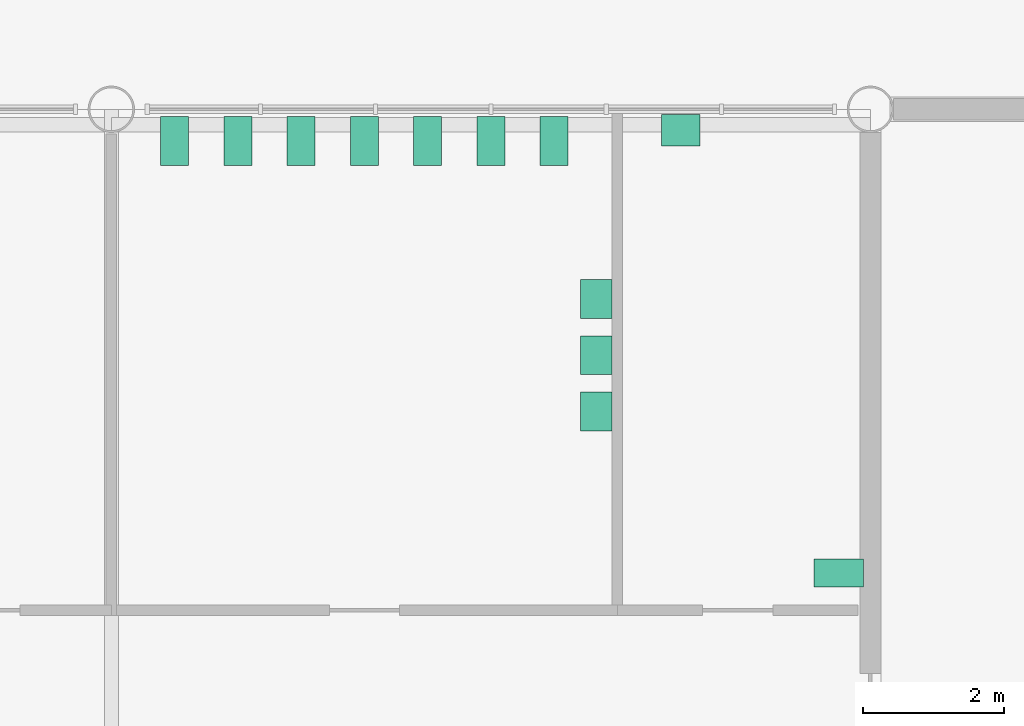
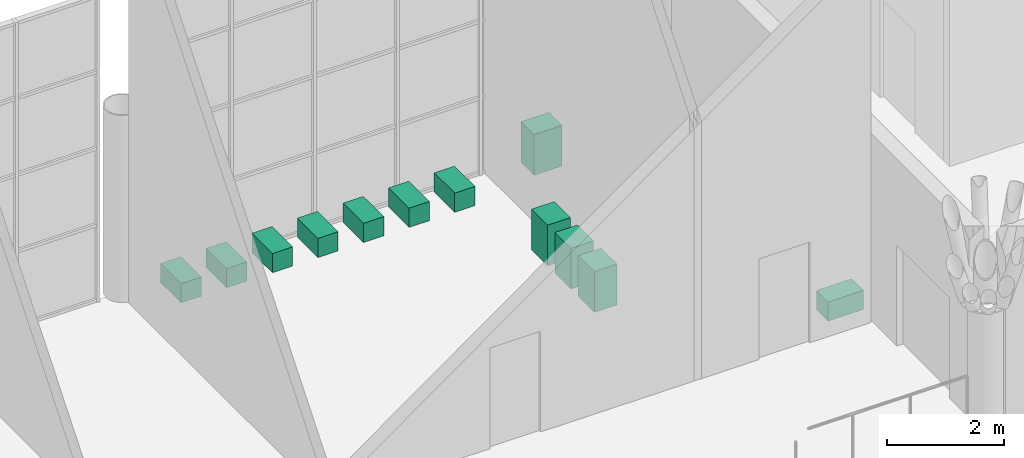
# One storey, part 56 of 56: 12 sanitary terminals.
"""IFC4 building model written with IfcOpenShell, lengths in metres."""

from ifc_helpers import new_model, si_unit, direction, frame, origin, origin_2d, place, context, subcontext, project, spatial, rectangle, extrude, element, save


model = new_model("IFC4")

# Units and contexts
model_context = context("Model", 3, precision=1e-05, world=origin(), true_north=direction((0.0, 1.0)))
body_context = subcontext(model_context, "Body", "Model", "MODEL_VIEW")
ifc_project = project(units=[si_unit("LENGTHUNIT", "METRE"), si_unit("AREAUNIT", "SQUARE_METRE"), si_unit("VOLUMEUNIT", "CUBIC_METRE"), si_unit("PLANEANGLEUNIT", "RADIAN"), si_unit("MASSUNIT", "GRAM", prefix="KILO")], contexts=[model_context])

# Site, building, storey
site_placement = place(None, origin())
site = spatial("IfcSite", under=ifc_project, at=site_placement, CompositionType="ELEMENT")
building_placement = place(site_placement, origin())
building = spatial("IfcBuilding", under=site, at=building_placement, Name="Magnolia Steps Interchange", CompositionType="ELEMENT")
storey_placement = place(building_placement, frame((0.0, 0.0, 8.699951171875)))
storey = spatial("IfcBuildingStorey", under=building, at=storey_placement, Name="L02", CompositionType="ELEMENT", Elevation=8.699951171875)

# Sanitary terminals
for number, where, z_axis, x_axis, name in (
    (1, (97.300048828125, 85.14990234375, 0.0), (0.0, 0.0, 1.0), (1.0, 0.0, 0.0), "WC pan 1"),
    (2, (98.199951171875, 85.14990234375, 0.0), (0.0, 0.0, 1.0), (1.0, 0.0, 0.0), "WC pan 2"),
    (3, (99.10009765625, 85.14990234375, 0.0), (0.0, 0.0, 1.0), (1.0, 0.0, 0.0), "WC pan 3"),
    (4, (100.0, 85.14990234375, 0.0), (0.0, 0.0, 1.0), (1.0, 0.0, 0.0), "WC pan 4"),
    (5, (100.89990234375, 85.14990234375, 0.0), (0.0, 0.0, 1.0), (1.0, 0.0, 0.0), "WC pan 5"),
    (6, (101.800048828125, 85.14990234375, 0.0), (0.0, 0.0, 1.0), (1.0, 0.0, 0.0), "WC pan 6"),
    (7, (102.699951171875, 85.14990234375, 0.0), (0.0, 0.0, 1.0), (1.0, 0.0, 0.0), "WC pan 7"),
):
    element("IfcSanitaryTerminal", number, at=place(storey_placement, frame(where, z_axis=z_axis, x_axis=x_axis)), inside=storey, Name=name, PredefinedType="TOILETPAN", context=body_context, shape_type="SweptSolid", body=[
        extrude(rectangle(XDim=0.39990234375, YDim=0.699951171875, at=origin_2d()), origin(), (0.0, 0.0, 1.0), 0.39990234375),
    ])
for number, where, z_axis, x_axis, name in (
    (8, (103.300048828125, 82.89990234375, 0.0), (0.0, 0.0, 1.0), (1.0, 0.0, 0.0), "Wash basin 1"),
    (9, (103.300048828125, 82.10009765625, 0.0), (0.0, 0.0, 1.0), (1.0, 0.0, 0.0), "Wash basin 2"),
    (10, (103.300048828125, 81.300048828125, 0.0), (0.0, 0.0, 1.0), (1.0, 0.0, 0.0), "Wash basin 3"),
):
    element("IfcSanitaryTerminal", number, at=place(storey_placement, frame(where, z_axis=z_axis, x_axis=x_axis)), inside=storey, Name=name, PredefinedType="WASHHANDBASIN", context=body_context, shape_type="SweptSolid", body=[
        extrude(rectangle(XDim=0.449951171875, YDim=0.550048828125, at=origin_2d()), origin(), (0.0, 0.0, 1.0), 0.85009765625),
    ])
sanitary_terminal_1_placement = place(storey_placement, frame((106.75, 79.0, 0.0), z_axis=(0.0, 0.0, 1.0), x_axis=(0.0, 1.0, 0.0)))
element("IfcSanitaryTerminal", 11, at=sanitary_terminal_1_placement, inside=storey, Name="WC pan 1", PredefinedType="TOILETPAN", context=body_context, shape_type="SweptSolid", body=[
    extrude(rectangle(XDim=0.39990234375, YDim=0.699951171875, at=origin_2d()), origin(), (0.0, 0.0, 1.0), 0.39990234375),
])
sanitary_terminal_2_placement = place(storey_placement, frame((104.5, 85.300048828125, 0.0), z_axis=(0.0, 0.0, 1.0), x_axis=(1.0, 0.0, 0.0)))
element("IfcSanitaryTerminal", 12, at=sanitary_terminal_2_placement, inside=storey, Name="Wash basin 1", PredefinedType="WASHHANDBASIN", context=body_context, shape_type="SweptSolid", body=[
    extrude(rectangle(XDim=0.550048828125, YDim=0.449951171875, at=origin_2d()), origin(), (0.0, 0.0, 1.0), 0.85009765625),
])

save(model, "model.ifc")
